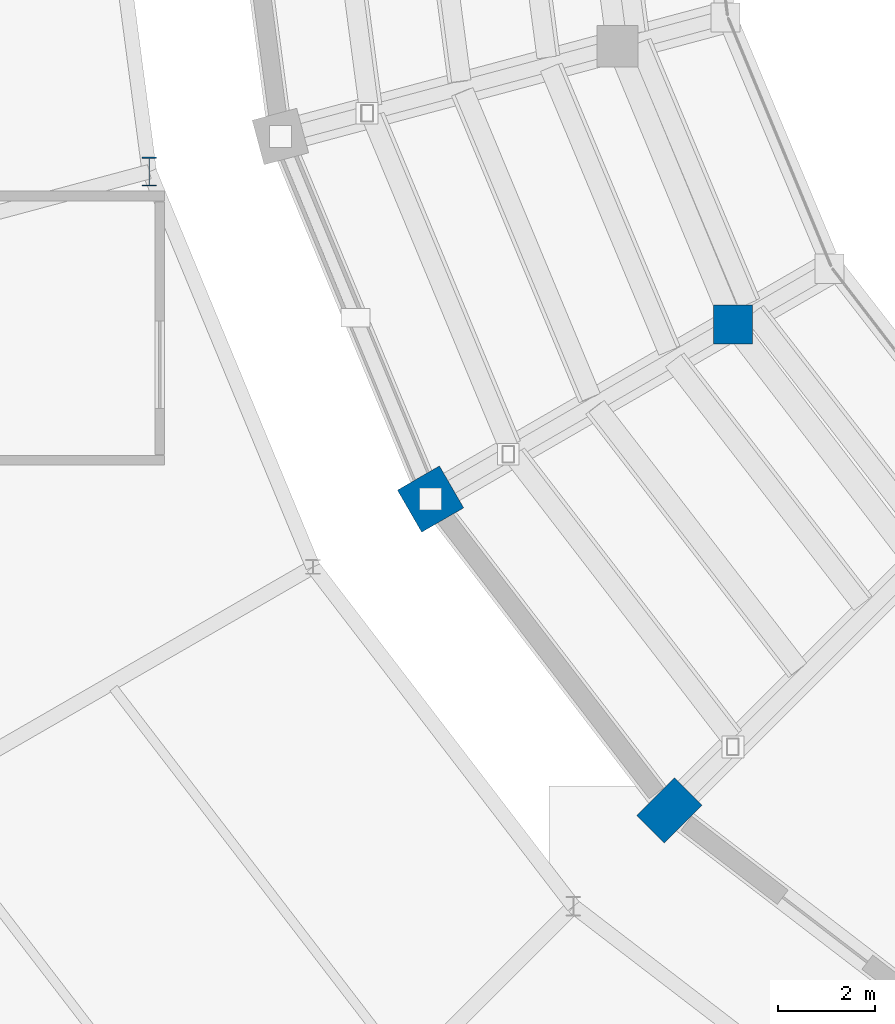
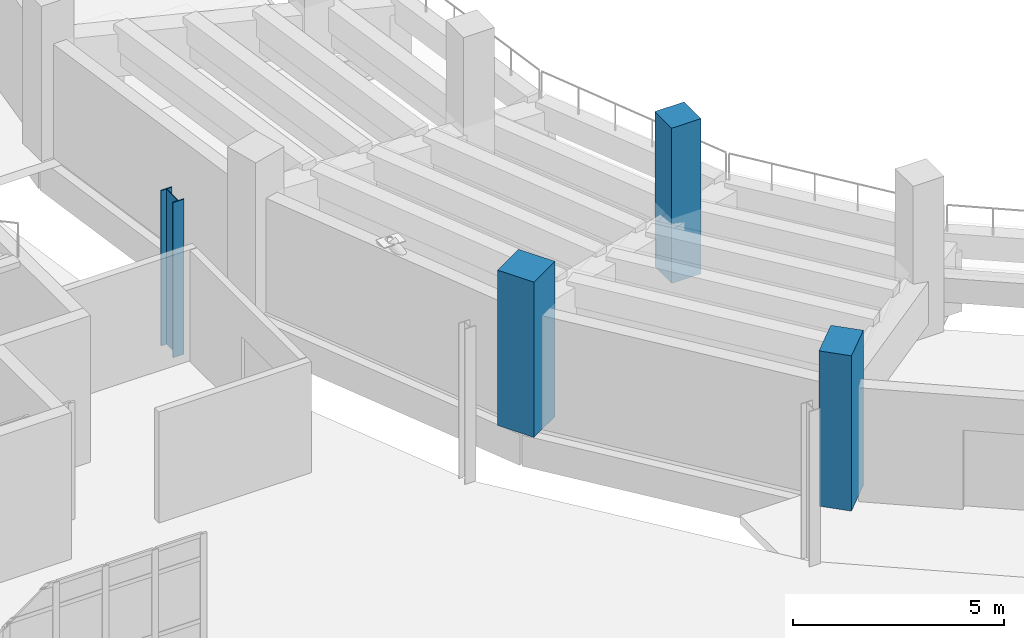
# One storey, part 4 of 120: 4 columns.
"""IFC4 building model written with IfcOpenShell, lengths in metres."""

from ifc_helpers import new_model, si_unit, direction, frame, origin, origin_2d, place, context, subcontext, project, spatial, rectangle, i_section, extrude, material, material_profile, profile_set, type_object, element, save


model = new_model("IFC4")

# Units and contexts
model_context = context("Model", 3, precision=1e-05, world=origin(), true_north=direction((0.0, 1.0)))
body_context = subcontext(model_context, "Body", "Model", "MODEL_VIEW")
ifc_project = project(units=[si_unit("LENGTHUNIT", "METRE"), si_unit("AREAUNIT", "SQUARE_METRE"), si_unit("VOLUMEUNIT", "CUBIC_METRE"), si_unit("PLANEANGLEUNIT", "RADIAN"), si_unit("MASSUNIT", "GRAM", prefix="KILO")], contexts=[model_context])

# Site, building, storey
site_placement = place(None, origin())
site = spatial("IfcSite", under=ifc_project, at=site_placement, CompositionType="ELEMENT")
building_placement = place(site_placement, origin())
building = spatial("IfcBuilding", under=site, at=building_placement, Name="Sohan Crest Arena", CompositionType="ELEMENT")
storey_placement = place(building_placement, frame((0.0, 0.0, 13.5)))
storey = spatial("IfcBuildingStorey", under=building, at=storey_placement, Name="L03", CompositionType="ELEMENT", Elevation=13.5)

# Columns
ifc_material_1 = material(Name="Concrete C40/50", Category="concrete")
ifc_material_profile_1 = material_profile(ifc_material_1, rectangle(XDim=0.800048828125, YDim=0.800048828125, at=origin_2d()), Name="RC 800x800")
ifc_profile_set_1 = profile_set([ifc_material_profile_1], Name="Concrete C40/50")
column_type_1 = type_object("IfcColumnType", Name="STR-COL-C05", PredefinedType="COLUMN", material=ifc_profile_set_1)
column_1_placement = place(storey_placement, frame((77.388916015625, 66.10009765625, 0.0), z_axis=(0.0, 0.0, 1.0), x_axis=(1.0, 0.0, 0.0)))
element("IfcColumn", 1, at=column_1_placement, inside=storey, type_object=column_type_1, Name="Structural column COL-V1M-09-L03", PredefinedType="COLUMN", context=body_context, shape_type="SweptSolid", body=[
    extrude(rectangle(XDim=0.800048828125, YDim=0.800048828125, at=origin_2d()), origin(), (0.0, 0.0, 1.0), 4.5),
])
ifc_material_profile_2 = material_profile(ifc_material_1, rectangle(XDim=1.0, YDim=1.0, at=origin_2d()), Name="RC 1000x1000")
ifc_profile_set_2 = profile_set([ifc_material_profile_2], Name="Concrete C40/50")
column_type_2 = type_object("IfcColumnType", Name="STR-COL-C09", PredefinedType="COLUMN", material=ifc_profile_set_2)
column_2_placement = place(storey_placement, frame((71.153076171875, 62.5, 0.0), z_axis=(0.0, 0.0, 1.0), x_axis=(0.866025403784, 0.5, 0.0)))
element("IfcColumn", 2, at=column_2_placement, inside=storey, type_object=column_type_2, Name="Structural column COL-V1R-09-L03", PredefinedType="COLUMN", context=body_context, shape_type="SweptSolid", body=[
    extrude(rectangle(XDim=1.0, YDim=1.0, at=origin_2d()), origin(), (0.0, 0.0, 1.0), 4.5),
])
ifc_material_profile_3 = material_profile(ifc_material_1, rectangle(XDim=1.10009765625, YDim=0.800048828125, at=origin_2d()), Name="RC 1100x800")
ifc_profile_set_3 = profile_set([ifc_material_profile_3], Name="Concrete C40/50")
column_type_3 = type_object("IfcColumnType", Name="STR-COL-C10", PredefinedType="COLUMN", material=ifc_profile_set_3)
column_3_placement = place(storey_placement, frame((76.080078125, 56.080078125, 0.0), z_axis=(0.0, 0.0, 1.0), x_axis=(0.707106781187, 0.707106781187, 0.0)))
element("IfcColumn", 3, at=column_3_placement, inside=storey, type_object=column_type_3, Name="Structural column COL-V1R-10-L03", PredefinedType="COLUMN", context=body_context, shape_type="SweptSolid", body=[
    extrude(rectangle(XDim=1.10009765625, YDim=0.800048828125, at=origin_2d()), origin(), (0.0, 0.0, 1.0), 4.5),
])
ifc_material_2 = material(Name="Steel S355", Category="steel")
ifc_material_profile_4 = material_profile(ifc_material_2, i_section(OverallWidth=0.300048828125, OverallDepth=0.60009765625, WebThickness=0.015380859375, FlangeThickness=0.030029296875, at=origin_2d()), Name="HEB 600")
ifc_profile_set_4 = profile_set([ifc_material_profile_4], Name="Steel S355")
column_type_4 = type_object("IfcColumnType", Name="STR-COL-C20", PredefinedType="COLUMN", material=ifc_profile_set_4)
column_4_placement = place(storey_placement, frame((65.35205078125, 69.251953125, 0.0), z_axis=(0.0, 0.0, 1.0), x_axis=(1.0, 0.0, 0.0)))
element("IfcColumn", 4, at=column_4_placement, inside=storey, type_object=column_type_4, Name="Structural column COL-V2I-08-L03", PredefinedType="COLUMN", context=body_context, shape_type="SweptSolid", body=[
    extrude(i_section(OverallWidth=0.300048828125, OverallDepth=0.60009765625, WebThickness=0.015380859375, FlangeThickness=0.030029296875, at=origin_2d()), origin(), (0.0, 0.0, 1.0), 4.5),
])

save(model, "model.ifc")
